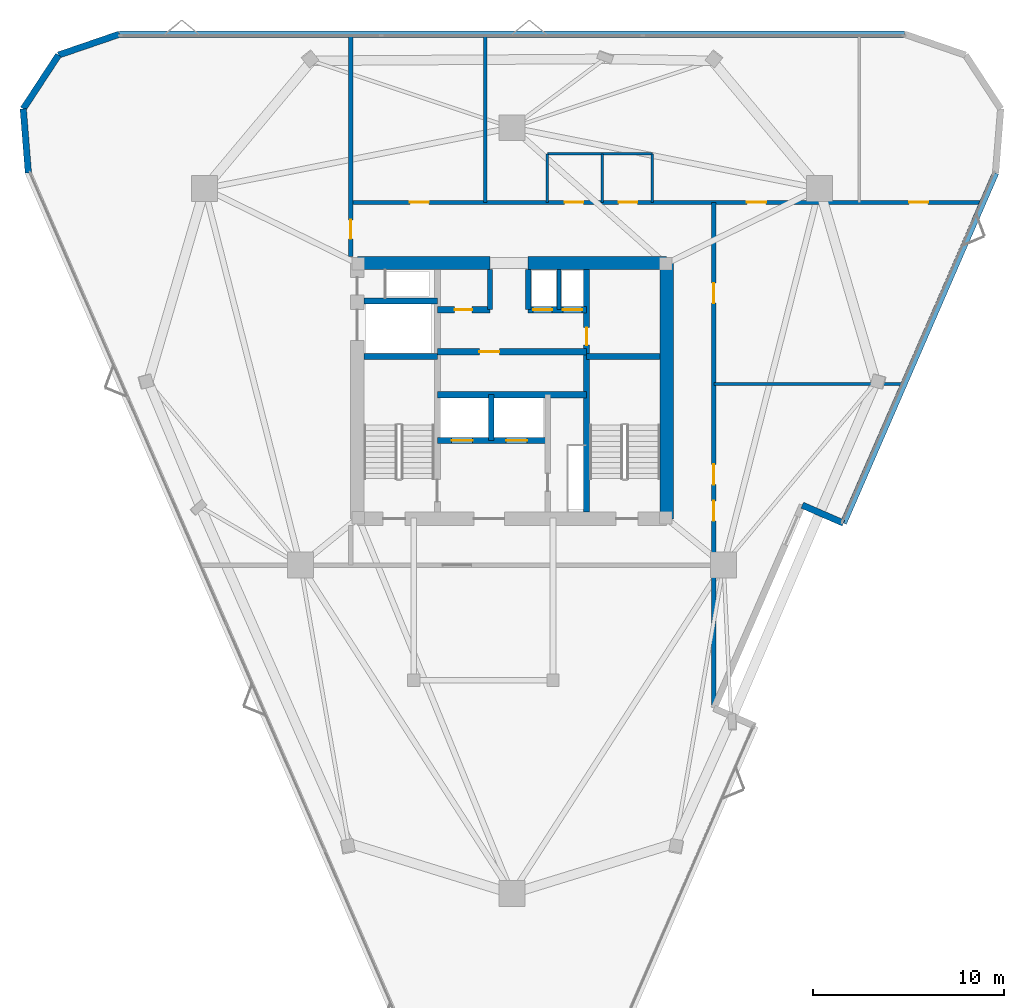
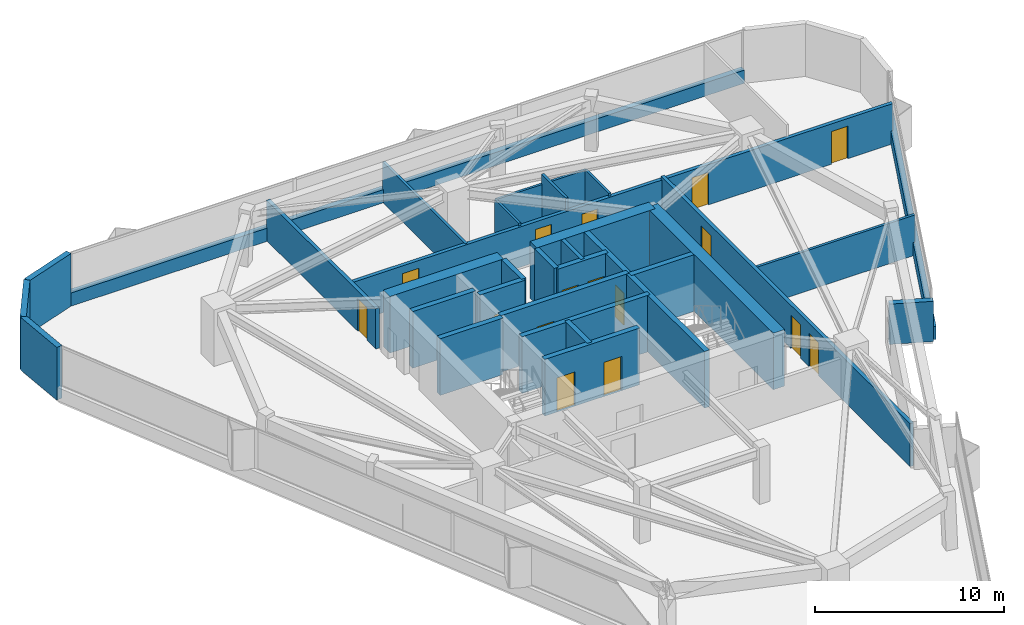
# One storey, part 7 of 9: 31 walls, 16 doors, 16 openings.
"""IFC4 building model written with IfcOpenShell, lengths in metres."""

import ifcopenshell
import ifcopenshell.guid

model = None  # the IFC model being written
_history = None  # IfcOwnerHistory: only IFC2X3 demands one
_inside = {}  # id of a spatial element -> (the spatial element, [elements in it])
_under = {}  # id of a project, library or spatial element -> (it, [spatial elements below it])
_declared = {}  # id of a project -> (the project, [libraries it declares])
_typed = {}  # id of a type object -> (the type object, [elements of that type])
_made_of = {}  # id of a material, layer set ... -> (it, [elements and type objects made of it])


def new_model(schema):
    """Start an empty IFC model of exactly this schema.

    Asked for "IFC4X3", IfcOpenShell would pick the latest addendum, in which some entities
    have other attributes; the version numbers below select the first issue.
    IFC2X3 requires an IfcOwnerHistory on every rooted entity: one is made here for all.
    """
    global model, _history
    if schema == "IFC4X3":
        model = ifcopenshell.file(schema_version=(4, 3, 0, 0))
    else:
        model = ifcopenshell.file(schema=schema)
    _inside.clear()
    _under.clear()
    _declared.clear()
    _typed.clear()
    _made_of.clear()
    _history = None
    if model.schema == "IFC2X3":
        org = make("IfcOrganization", Name="unknown")
        user = make(
            "IfcPersonAndOrganization",
            ThePerson=make("IfcPerson", FamilyName="unknown"),
            TheOrganization=org,
        )
        app = make(
            "IfcApplication",
            ApplicationDeveloper=org,
            Version="unknown",
            ApplicationFullName="unknown",
            ApplicationIdentifier="unknown",
        )
        _history = make(
            "IfcOwnerHistory",
            OwningUser=user,
            OwningApplication=app,
            ChangeAction="ADDED",
            CreationDate=0,
        )
    return model


def make(cls, **values):
    """One entity of the class cls with the attributes given. An attribute that is None is left unset."""
    return model.create_entity(
        cls, **{name: value for name, value in values.items() if value is not None}
    )


def rooted(cls, **values):
    """An entity with a GlobalId (a new one), such as an element, a storey or a relation."""
    return make(cls, GlobalId=ifcopenshell.guid.new(), OwnerHistory=_history, **values)


def si_unit(unit_type, name, prefix=None):
    """IfcSIUnit, for example si_unit("LENGTHUNIT", "METRE", prefix="MILLI")."""
    return make("IfcSIUnit", UnitType=unit_type, Prefix=prefix, Name=name)


def assignment(units):
    """IfcUnitAssignment: the units of a project."""
    return None if units is None else make("IfcUnitAssignment", Units=units)


def point(xyz):
    """IfcCartesianPoint."""
    return None if xyz is None else make("IfcCartesianPoint", Coordinates=xyz)


def direction(xyz):
    """IfcDirection."""
    return None if xyz is None else make("IfcDirection", DirectionRatios=xyz)


def frame(location, z_axis=None, x_axis=None):
    """IfcAxis2Placement3D, a coordinate frame: its origin and axes. An axis left out is left unset."""
    return make(
        "IfcAxis2Placement3D",
        Location=point(location),
        Axis=direction(z_axis),
        RefDirection=direction(x_axis),
    )


def frame_2d(location, x_axis=None):
    """IfcAxis2Placement2D, a coordinate frame in the plane: its origin and x axis."""
    return make(
        "IfcAxis2Placement2D", Location=point(location), RefDirection=direction(x_axis)
    )


def origin():
    """The frame at (0, 0, 0) with its axes left unset."""
    return frame((0.0, 0.0, 0.0))


def place(relative_to, where):
    """IfcLocalPlacement: puts the frame where relative to a parent placement (None: the world)."""
    return make(
        "IfcLocalPlacement", PlacementRelTo=relative_to, RelativePlacement=where
    )


def context(
    kind, dimensions, precision=None, world=None, true_north=None, identifier=None
):
    """IfcGeometricRepresentationContext, for example the 3D "Model" context."""
    return make(
        "IfcGeometricRepresentationContext",
        ContextIdentifier=identifier,
        ContextType=kind,
        CoordinateSpaceDimension=dimensions,
        Precision=precision,
        WorldCoordinateSystem=world,
        TrueNorth=true_north,
    )


def subcontext(parent, identifier, kind, view, scale=None):
    """IfcGeometricRepresentationSubContext, for example "Body" below "Model"."""
    return make(
        "IfcGeometricRepresentationSubContext",
        ContextIdentifier=identifier,
        ContextType=kind,
        ParentContext=parent,
        TargetScale=scale,
        TargetView=view,
    )


def project(units=None, contexts=None):
    """IfcProject with its units and contexts."""
    return rooted(
        "IfcProject",
        Name="project",
        RepresentationContexts=contexts,
        UnitsInContext=assignment(units),
    )


def spatial(cls, under=None, at=None, **own):
    """A site, building, storey or space (cls), placed at a placement, below another one or the project."""
    s = rooted(cls, ObjectPlacement=at, **own)
    if under is not None:
        _under.setdefault(under.id(), (under, []))[1].append(s)
    return s


def profile(cls, at=None, kind="AREA", **sizes):
    """A parametric profile (cls). Its sizes go by their IFC names, for example OverallWidth=200.0."""
    return make(cls, ProfileType=kind, Position=at, **sizes)


def rectangle(**sizes):
    """IfcRectangleProfileDef."""
    return profile("IfcRectangleProfileDef", **sizes)


def extrude(swept, where, along, depth):
    """IfcExtrudedAreaSolid: the profile swept, set in the frame where, extruded along a direction by depth."""
    return make(
        "IfcExtrudedAreaSolid",
        SweptArea=swept,
        Position=where,
        ExtrudedDirection=direction(along),
        Depth=depth,
    )


def shape(context_of_items, identifier, shape_type, items):
    """IfcShapeRepresentation: the items that make up one representation, for example the "Body"."""
    return make(
        "IfcShapeRepresentation",
        ContextOfItems=context_of_items,
        RepresentationIdentifier=identifier,
        RepresentationType=shape_type,
        Items=items,
    )


def material(Name=None, Category=None):
    """IfcMaterial."""
    return make("IfcMaterial", Name=Name, Category=Category)


def layer(
    of_material, thickness, ventilated=None, Name=None, Category=None, Priority=None
):
    """IfcMaterialLayer: one layer of a wall or slab, of a material (None: an air gap)."""
    return make(
        "IfcMaterialLayer",
        Material=of_material,
        LayerThickness=thickness,
        IsVentilated=ventilated,
        Name=Name,
        Category=Category,
        Priority=Priority,
    )


def layer_set(layers, Name=None):
    """IfcMaterialLayerSet."""
    return make("IfcMaterialLayerSet", MaterialLayers=layers, LayerSetName=Name)


def made_of(thing, what):
    """Note that an element or type object is made of a material, layer set ...; save() writes the relation."""
    if what is not None:
        _made_of.setdefault(what.id(), (what, []))[1].append(thing)
    return thing


def type_object(cls, material=None, **own):
    """A type object (cls), such as IfcWallType, which elements share."""
    return made_of(rooted(cls, **own), material)


def element(
    cls,
    number,
    at=None,
    inside=None,
    cuts=None,
    type_object=None,
    material=None,
    context=None,
    identifier="Body",
    shape_type=None,
    held_by="IfcProductDefinitionShape",
    body=None,
    shapes=None,
    **own,
):
    """One element of the class cls, such as IfcWall. Its Tag is "e" and its number.

    at: its placement. inside: the storey or other place that contains it. cuts: it is an
    opening in that element (IfcRelVoidsElement). A single representation is given by context,
    identifier, shape_type and body (its items); several are given by shapes. held_by: the class
    of the entity that holds the representations. save() writes the other relations.
    """
    e = rooted(cls, Tag="e%d" % number, ObjectPlacement=at, **own)
    if body is not None:
        shapes = [shape(context, identifier, shape_type, body)]
    if shapes is not None:
        e.Representation = make(held_by, Representations=shapes)
    if inside is not None:
        _inside.setdefault(inside.id(), (inside, []))[1].append(e)
    if cuts is not None:
        rooted(
            "IfcRelVoidsElement", RelatingBuildingElement=cuts, RelatedOpeningElement=e
        )
    if type_object is not None:
        _typed.setdefault(type_object.id(), (type_object, []))[1].append(e)
    return made_of(e, material)


def fill(opening, filler):
    """IfcRelFillsElement: the door or window that sits in an opening."""
    return rooted(
        "IfcRelFillsElement",
        RelatingOpeningElement=opening,
        RelatedBuildingElement=filler,
    )


def aggregate(whole, parts):
    """IfcRelAggregates: a whole, such as a stair, and the parts it consists of."""
    return rooted("IfcRelAggregates", RelatingObject=whole, RelatedObjects=parts)


def save(model, path):
    """Write the relations noted so far, then the file.

    IfcRelAggregates (storeys below a building ...), IfcRelContainedInSpatialStructure (elements
    in a storey), IfcRelDefinesByType, IfcRelAssociatesMaterial and IfcRelDeclares: one each for
    every whole, place, type object, material and project.
    """
    for whole, parts in _under.values():
        aggregate(whole, parts)
    for where, things in _inside.values():
        rooted(
            "IfcRelContainedInSpatialStructure",
            RelatedElements=things,
            RelatingStructure=where,
        )
    for kind, things in _typed.values():
        rooted("IfcRelDefinesByType", RelatedObjects=things, RelatingType=kind)
    for what, things in _made_of.values():
        rooted("IfcRelAssociatesMaterial", RelatedObjects=things, RelatingMaterial=what)
    for by, libraries in _declared.values():
        rooted("IfcRelDeclares", RelatingContext=by, RelatedDefinitions=libraries)
    model.write(path)


model = new_model("IFC4")

# Units and contexts
model_context = context("Model", 3, precision=1e-05, world=origin(), true_north=direction((0.0, 1.0)))
body_context = subcontext(model_context, "Body", "Model", "MODEL_VIEW")
ifc_project = project(units=[si_unit("LENGTHUNIT", "METRE"), si_unit("AREAUNIT", "SQUARE_METRE"), si_unit("VOLUMEUNIT", "CUBIC_METRE"), si_unit("PLANEANGLEUNIT", "RADIAN"), si_unit("MASSUNIT", "GRAM", prefix="KILO")], contexts=[model_context])

# Site, building, storey
site_placement = place(None, origin())
site = spatial("IfcSite", under=ifc_project, at=site_placement, CompositionType="ELEMENT")
building_placement = place(site_placement, origin())
building = spatial("IfcBuilding", under=site, at=building_placement, Name="Talyreon Biosciences Tower", CompositionType="ELEMENT")
storey_placement = place(building_placement, frame((0.0, 0.0, 208.60009765625)))
storey = spatial("IfcBuildingStorey", under=building, at=storey_placement, Name="L55", CompositionType="ELEMENT", Elevation=208.60009765625)

# Walls
ifc_material_1 = material(Name="Concrete C50/60", Category="concrete")
ifc_layer_1 = layer(ifc_material_1, 0.219970703125)
ifc_layer_set_1 = layer_set([ifc_layer_1], Name="Concrete C50/60")
wall_type_1 = type_object("IfcWallType", Name="CoreShearWall_220", PredefinedType="SHEAR", material=ifc_layer_set_1)
wall_1_placement = place(storey_placement, frame((68.4599609375, 72.25, 0.0), z_axis=(0.0, 0.0, 1.0), x_axis=(0.0, 1.0, 0.0)))
element("IfcWall", 1, at=wall_1_placement, inside=storey, type_object=wall_type_1, Name="L55 Core Shaft Wall SWPHD", PredefinedType="SHEAR", context=body_context, shape_type="SweptSolid", body=[
    extrude(rectangle(XDim=2.10009765625, YDim=0.219970703125, at=frame_2d((1.050048828125, 0.0))), origin(), (0.0, 0.0, 1.0), 3.64990234375),
])
ifc_layer_2 = layer(ifc_material_1, 0.280029296875)
ifc_layer_set_2 = layer_set([ifc_layer_2], Name="Concrete C50/60")
wall_type_2 = type_object("IfcWallType", Name="CoreShearWall_280", PredefinedType="SHEAR", material=ifc_layer_set_2)
wall_2_placement = place(storey_placement, frame((64.919921875, 65.39990234375, 0.0), z_axis=(0.0, 0.0, 1.0), x_axis=(0.0, 1.0, 0.0)))
element("IfcWall", 2, at=wall_2_placement, inside=storey, type_object=wall_type_2, Name="L55 Core Shaft Wall SWSHD1", PredefinedType="SHEAR", context=body_context, shape_type="SweptSolid", body=[
    extrude(rectangle(XDim=2.400146484375, YDim=0.280029296875, at=frame_2d((1.2001953125, 0.0))), origin(), (0.0, 0.0, 1.0), 3.64990234375),
])
for number, where, z_axis, x_axis, name in (
    (3, (64.85009765625, 72.25, 0.0), (0.0, 0.0, 1.0), (0.0, 1.0, 0.0), "L55 Core Shaft Wall SWTHW"),
    (4, (66.85009765625, 72.25, 0.0), (0.0, 0.0, 1.0), (0.0, 1.0, 0.0), "L55 Core Shaft Wall SWTHE"),
):
    element("IfcWall", number, at=place(storey_placement, frame(where, z_axis=z_axis, x_axis=x_axis)), inside=storey, type_object=wall_type_2, Name=name, PredefinedType="SHEAR", context=body_context, shape_type="SweptSolid", body=[
        extrude(rectangle(XDim=2.10009765625, YDim=0.280029296875, at=frame_2d((1.050048828125, 0.0))), origin(), (0.0, 0.0, 1.0), 3.64990234375),
    ])

# Wall, opening, door
ifc_layer_3 = layer(ifc_material_1, 0.320068359375)
ifc_layer_set_3 = layer_set([ifc_layer_3], Name="Concrete C50/60")
wall_type_3 = type_object("IfcWallType", Name="CoreShearWall_320", PredefinedType="SHEAR", material=ifc_layer_set_3)
wall_3_placement = place(storey_placement, frame((69.909912109375, 61.64990234375, 0.0), z_axis=(0.0, 0.0, 1.0), x_axis=(0.0, 1.0, 0.0)))
wall_3 = element("IfcWall", 5, at=wall_3_placement, inside=storey, type_object=wall_type_3, Name="L55 Core Shaft Wall SW2W", PredefinedType="SHEAR", context=body_context, shape_type="SweptSolid", body=[
    extrude(rectangle(XDim=12.7001953125, YDim=0.320068359375, at=frame_2d((6.35009765625, 0.0))), origin(), (0.0, 0.0, 1.0), 3.64990234375),
])
opening_1_placement = place(wall_3_placement, frame((8.75, 0.0, 0.0)))
opening_1 = element("IfcOpeningElement", 6, at=opening_1_placement, cuts=wall_3, Name="Opening DR-L55-CSRV", PredefinedType="OPENING", context=body_context, shape_type="SweptSolid", body=[
    extrude(rectangle(XDim=0.919921875, YDim=2.050048828125, at=frame_2d((0.4599609375, 1.02490234375))), frame((0.0, 0.169921875, 0.0), z_axis=(0.0, -1.0, 0.0), x_axis=(1.0, 0.0, 0.0)), (0.0, 0.0, 1.0), 0.340087890625),
])
ifc_material_2 = material(Name="Painted steel fire-rated riser door", Category="steel")
door_type_1 = type_object("IfcDoorType", Name="RiserPlantAccessDoor_920x2050", OperationType="NOTDEFINED", PredefinedType="DOOR", material=ifc_material_2)
door_1_placement = place(opening_1_placement, origin())
door_1 = element("IfcDoor", 7, at=door_1_placement, inside=storey, type_object=door_type_1, Name="L55 Core Door DR-L55-CSRV", OperationType="SINGLE_SWING_RIGHT", OverallHeight=2.050048828125, OverallWidth=0.919921875, PredefinedType="DOOR", context=body_context, shape_type="SweptSolid", body=[
    extrude(rectangle(XDim=0.919921875, YDim=2.050048828125, at=frame_2d((0.4599609375, 1.02490234375))), frame((0.0, 0.02490234375, 0.0), z_axis=(0.0, -1.0, 0.0), x_axis=(1.0, 0.0, 0.0)), (0.0, 0.0, 1.0), 0.050048828125),
])
fill(opening_1, door_1)

# Walls
for number, where, z_axis, x_axis, name in (
    (8, (58.25, 69.81005859375, 0.0), (0.0, 0.0, 1.0), (1.0, 0.0, 0.0), "L55 Core Shaft Wall SW1N"),
    (9, (69.909912109375, 69.81005859375, 0.0), (0.0, 0.0, 1.0), (1.0, 0.0, 0.0), "L55 Core Shaft Wall SW2N"),
    (10, (58.25, 72.699951171875, 0.0), (0.0, 0.0, 1.0), (1.0, 0.0, 0.0), "L55 Core Shaft Wall SWGLN"),
):
    element("IfcWall", number, at=place(storey_placement, frame(where, z_axis=z_axis, x_axis=x_axis)), inside=storey, type_object=wall_type_3, Name=name, PredefinedType="SHEAR", context=body_context, shape_type="SweptSolid", body=[
        extrude(rectangle(XDim=3.840087890625, YDim=0.320068359375, at=frame_2d((1.919921875, 0.0))), origin(), (0.0, 0.0, 1.0), 3.64990234375),
    ])
wall_4_placement = place(storey_placement, frame((62.090087890625, 67.800048828125, 0.0), z_axis=(0.0, 0.0, 1.0), x_axis=(1.0, 0.0, 0.0)))
element("IfcWall", 11, at=wall_4_placement, inside=storey, type_object=wall_type_3, Name="L55 Core Shaft Wall SWSHM", PredefinedType="SHEAR", context=body_context, shape_type="SweptSolid", body=[
    extrude(rectangle(XDim=7.81982421875, YDim=0.320068359375, at=frame_2d((3.909912109375, 0.0))), origin(), (0.0, 0.0, 1.0), 3.64990234375),
])

# Wall, opening, door
wall_5_placement = place(storey_placement, frame((62.090087890625, 70.050048828125, 0.0), z_axis=(0.0, 0.0, 1.0), x_axis=(1.0, 0.0, 0.0)))
wall_5 = element("IfcWall", 12, at=wall_5_placement, inside=storey, type_object=wall_type_3, Name="L55 Core Shaft Wall SWSPN", PredefinedType="SHEAR", context=body_context, shape_type="SweptSolid", body=[
    extrude(rectangle(XDim=7.81982421875, YDim=0.320068359375, at=frame_2d((3.909912109375, 0.0))), origin(), (0.0, 0.0, 1.0), 3.64990234375),
])
opening_2_placement = place(wall_5_placement, frame((2.199951171875, 0.0, 0.0)))
opening_2 = element("IfcOpeningElement", 13, at=opening_2_placement, cuts=wall_5, Name="Opening DR-L55-PLPMFREE", PredefinedType="OPENING", context=body_context, shape_type="SweptSolid", body=[
    extrude(rectangle(XDim=1.050048828125, YDim=2.14990234375, at=frame_2d((0.52490234375, 1.074951171875))), frame((0.0, 0.169921875, 0.0), z_axis=(0.0, -1.0, 0.0), x_axis=(1.0, 0.0, 0.0)), (0.0, 0.0, 1.0), 0.340087890625),
])
ifc_material_3 = material(Name="Acoustic timber-core laboratory door", Category="wood")
door_type_2 = type_object("IfcDoorType", Name="DryLabSingleDoor_1050x2150", OperationType="NOTDEFINED", PredefinedType="DOOR", material=ifc_material_3)
door_2_placement = place(opening_2_placement, origin())
door_2 = element("IfcDoor", 14, at=door_2_placement, inside=storey, type_object=door_type_2, Name="L55 Core Door DR-L55-PLPMFREE", OperationType="SINGLE_SWING_LEFT", OverallHeight=2.14990234375, OverallWidth=1.050048828125, PredefinedType="DOOR", context=body_context, shape_type="SweptSolid", body=[
    extrude(rectangle(XDim=1.050048828125, YDim=2.14990234375, at=frame_2d((0.52490234375, 1.074951171875))), frame((0.0, 0.02490234375, 0.0), z_axis=(0.0, -1.0, 0.0), x_axis=(1.0, 0.0, 0.0)), (0.0, 0.0, 1.0), 0.050048828125),
])
fill(opening_2, door_2)

wall_6_placement = place(storey_placement, frame((62.090087890625, 72.25, 0.0), z_axis=(0.0, 0.0, 1.0), x_axis=(1.0, 0.0, 0.0)))
wall_6 = element("IfcWall", 15, at=wall_6_placement, inside=storey, type_object=wall_type_3, Name="L55 Core Shaft Wall SWNPW", PredefinedType="SHEAR", context=body_context, shape_type="SweptSolid", body=[
    extrude(rectangle(XDim=2.760009765625, YDim=0.320068359375, at=frame_2d((1.3798828125, 0.0))), origin(), (0.0, 0.0, 1.0), 3.64990234375),
])
opening_3_placement = place(wall_6_placement, frame((0.89990234375, 0.0, 0.0)))
opening_3 = element("IfcOpeningElement", 16, at=opening_3_placement, cuts=wall_6, Name="Opening DR-L55-PM2FREE", PredefinedType="OPENING", context=body_context, shape_type="SweptSolid", body=[
    extrude(rectangle(XDim=0.919921875, YDim=2.050048828125, at=frame_2d((0.4599609375, 1.02490234375))), frame((0.0, 0.169921875, 0.0), z_axis=(0.0, -1.0, 0.0), x_axis=(1.0, 0.0, 0.0)), (0.0, 0.0, 1.0), 0.340087890625),
])
door_3_placement = place(opening_3_placement, origin())
door_3 = element("IfcDoor", 17, at=door_3_placement, inside=storey, type_object=door_type_1, Name="L55 Core Door DR-L55-PM2FREE", OperationType="SINGLE_SWING_RIGHT", OverallHeight=2.050048828125, OverallWidth=0.919921875, PredefinedType="DOOR", context=body_context, shape_type="SweptSolid", body=[
    extrude(rectangle(XDim=0.919921875, YDim=2.050048828125, at=frame_2d((0.4599609375, 1.02490234375))), frame((0.0, 0.02490234375, 0.0), z_axis=(0.0, -1.0, 0.0), x_axis=(1.0, 0.0, 0.0)), (0.0, 0.0, 1.0), 0.050048828125),
])
fill(opening_3, door_3)

# Wall, openings, doors
wall_7_placement = place(storey_placement, frame((66.85009765625, 72.25, 0.0), z_axis=(0.0, 0.0, 1.0), x_axis=(1.0, 0.0, 0.0)))
wall_7 = element("IfcWall", 18, at=wall_7_placement, inside=storey, type_object=wall_type_3, Name="L55 Core Shaft Wall SWNPE", PredefinedType="SHEAR", context=body_context, shape_type="SweptSolid", body=[
    extrude(rectangle(XDim=3.059814453125, YDim=0.320068359375, at=frame_2d((1.52978515625, 0.0))), origin(), (0.0, 0.0, 1.0), 3.64990234375),
])
opening_4_placement = place(wall_7_placement, frame((0.25, 0.0, 0.0)))
opening_4 = element("IfcOpeningElement", 19, at=opening_4_placement, cuts=wall_7, Name="Opening LD-L55-PH1", PredefinedType="OPENING", context=body_context, shape_type="SweptSolid", body=[
    extrude(rectangle(XDim=1.0, YDim=2.199951171875, at=frame_2d((0.5, 1.10009765625))), frame((0.0, 0.169921875, 0.0), z_axis=(0.0, -1.0, 0.0), x_axis=(1.0, 0.0, 0.0)), (0.0, 0.0, 1.0), 0.340087890625),
])
opening_5_placement = place(wall_7_placement, frame((1.820068359375, 0.0, 0.0)))
opening_5 = element("IfcOpeningElement", 20, at=opening_5_placement, cuts=wall_7, Name="Opening LD-L55-PH2", PredefinedType="OPENING", context=body_context, shape_type="SweptSolid", body=[
    extrude(rectangle(XDim=1.0, YDim=2.199951171875, at=frame_2d((0.5, 1.10009765625))), frame((0.0, 0.169921875, 0.0), z_axis=(0.0, -1.0, 0.0), x_axis=(1.0, 0.0, 0.0)), (0.0, 0.0, 1.0), 0.340087890625),
])
ifc_material_4 = material(Name="Brushed stainless-steel lift landing door", Category="steel")
door_type_3 = type_object("IfcDoorType", Name="LiftSlidingLandingDoor_1100x2200", OperationType="SLIDING_TO_LEFT", PredefinedType="DOOR", material=ifc_material_4)
door_4_placement = place(opening_4_placement, origin())
door_4 = element("IfcDoor", 21, at=door_4_placement, inside=storey, type_object=door_type_3, Name="L55 Core Door LD-L55-PH1", OperationType="SLIDING_TO_LEFT", OverallHeight=2.199951171875, OverallWidth=1.0, PredefinedType="DOOR", context=body_context, shape_type="SweptSolid", body=[
    extrude(rectangle(XDim=1.0, YDim=2.199951171875, at=frame_2d((0.5, 1.10009765625))), frame((0.0, 0.02490234375, 0.0), z_axis=(0.0, -1.0, 0.0), x_axis=(1.0, 0.0, 0.0)), (0.0, 0.0, 1.0), 0.050048828125),
])
fill(opening_4, door_4)
door_5_placement = place(opening_5_placement, origin())
door_5 = element("IfcDoor", 22, at=door_5_placement, inside=storey, type_object=door_type_3, Name="L55 Core Door LD-L55-PH2", OperationType="SLIDING_TO_LEFT", OverallHeight=2.199951171875, OverallWidth=1.0, PredefinedType="DOOR", context=body_context, shape_type="SweptSolid", body=[
    extrude(rectangle(XDim=1.0, YDim=2.199951171875, at=frame_2d((0.5, 1.10009765625))), frame((0.0, 0.02490234375, 0.0), z_axis=(0.0, -1.0, 0.0), x_axis=(1.0, 0.0, 0.0)), (0.0, 0.0, 1.0), 0.050048828125),
])
fill(opening_5, door_5)

wall_8_placement = place(storey_placement, frame((62.090087890625, 65.39990234375, 0.0), z_axis=(0.0, 0.0, 1.0), x_axis=(1.0, 0.0, 0.0)))
wall_8 = element("IfcWall", 23, at=wall_8_placement, inside=storey, type_object=wall_type_3, Name="L55 Core Shaft Wall SWFFN", PredefinedType="SHEAR", context=body_context, shape_type="SweptSolid", body=[
    extrude(rectangle(XDim=5.789794921875, YDim=0.320068359375, at=frame_2d((2.89501953125, 0.0))), origin(), (0.0, 0.0, 1.0), 3.64990234375),
])
opening_6_placement = place(wall_8_placement, frame((0.75, 0.0, 0.0)))
opening_6 = element("IfcOpeningElement", 24, at=opening_6_placement, cuts=wall_8, Name="Opening LD-L55-FL1", PredefinedType="OPENING", context=body_context, shape_type="SweptSolid", body=[
    extrude(rectangle(XDim=1.10009765625, YDim=2.199951171875, at=frame_2d((0.550048828125, 1.10009765625))), frame((0.0, 0.169921875, 0.0), z_axis=(0.0, -1.0, 0.0), x_axis=(1.0, 0.0, 0.0)), (0.0, 0.0, 1.0), 0.340087890625),
])
opening_7_placement = place(wall_8_placement, frame((3.60009765625, 0.0, 0.0)))
opening_7 = element("IfcOpeningElement", 25, at=opening_7_placement, cuts=wall_8, Name="Opening LD-L55-FL2", PredefinedType="OPENING", context=body_context, shape_type="SweptSolid", body=[
    extrude(rectangle(XDim=1.10009765625, YDim=2.199951171875, at=frame_2d((0.550048828125, 1.10009765625))), frame((0.0, 0.169921875, 0.0), z_axis=(0.0, -1.0, 0.0), x_axis=(1.0, 0.0, 0.0)), (0.0, 0.0, 1.0), 0.340087890625),
])
door_6_placement = place(opening_6_placement, origin())
door_6 = element("IfcDoor", 26, at=door_6_placement, inside=storey, type_object=door_type_3, Name="L55 Core Door LD-L55-FL1", OperationType="SLIDING_TO_LEFT", OverallHeight=2.199951171875, OverallWidth=1.10009765625, PredefinedType="DOOR", context=body_context, shape_type="SweptSolid", body=[
    extrude(rectangle(XDim=1.10009765625, YDim=2.199951171875, at=frame_2d((0.550048828125, 1.10009765625))), frame((0.0, 0.02490234375, 0.0), z_axis=(0.0, -1.0, 0.0), x_axis=(1.0, 0.0, 0.0)), (0.0, 0.0, 1.0), 0.050048828125),
])
fill(opening_6, door_6)
door_7_placement = place(opening_7_placement, origin())
door_7 = element("IfcDoor", 27, at=door_7_placement, inside=storey, type_object=door_type_3, Name="L55 Core Door LD-L55-FL2", OperationType="SLIDING_TO_LEFT", OverallHeight=2.199951171875, OverallWidth=1.10009765625, PredefinedType="DOOR", context=body_context, shape_type="SweptSolid", body=[
    extrude(rectangle(XDim=1.10009765625, YDim=2.199951171875, at=frame_2d((0.550048828125, 1.10009765625))), frame((0.0, 0.02490234375, 0.0), z_axis=(0.0, -1.0, 0.0), x_axis=(1.0, 0.0, 0.0)), (0.0, 0.0, 1.0), 0.050048828125),
])
fill(opening_7, door_7)

# Walls
ifc_layer_4 = layer(ifc_material_1, 0.699951171875)
ifc_layer_set_4 = layer_set([ifc_layer_4], Name="Concrete C50/60")
wall_type_4 = type_object("IfcWallType", Name="CoreShearWall_700", PredefinedType="SHEAR", material=ifc_layer_set_4)
wall_9_placement = place(storey_placement, frame((74.10009765625, 61.300048828125, 0.0), z_axis=(0.0, 0.0, 1.0), x_axis=(0.0, 1.0, 0.0)))
element("IfcWall", 28, at=wall_9_placement, inside=storey, type_object=wall_type_4, Name="L55 Core Shear Wall E", PredefinedType="SHEAR", context=body_context, shape_type="SweptSolid", body=[
    extrude(rectangle(XDim=13.39990234375, YDim=0.699951171875, at=frame_2d((6.699951171875, 0.0))), origin(), (0.0, 0.0, 1.0), 3.64990234375),
])
wall_10_placement = place(storey_placement, frame((74.10009765625, 74.699951171875, 0.0), z_axis=(0.0, 0.0, 1.0), x_axis=(-1.0, 0.0, 0.0)))
element("IfcWall", 29, at=wall_10_placement, inside=storey, type_object=wall_type_4, Name="L55 Core Shear Wall NE", PredefinedType="SHEAR", context=body_context, shape_type="SweptSolid", body=[
    extrude(rectangle(XDim=7.25, YDim=0.699951171875, at=frame_2d((3.625, 0.0))), origin(), (0.0, 0.0, 1.0), 3.64990234375),
])
wall_11_placement = place(storey_placement, frame((64.85009765625, 74.699951171875, 0.0), z_axis=(0.0, 0.0, 1.0), x_axis=(-1.0, 0.0, 0.0)))
element("IfcWall", 30, at=wall_11_placement, inside=storey, type_object=wall_type_4, Name="L55 Core Shear Wall NW", PredefinedType="SHEAR", context=body_context, shape_type="SweptSolid", body=[
    extrude(rectangle(XDim=6.9501953125, YDim=0.699951171875, at=frame_2d((3.47509765625, 0.0))), origin(), (0.0, 0.0, 1.0), 3.64990234375),
])

# Wall, openings, doors
ifc_material_5 = material(Name="Gypsum fireboard acoustic stud", Category="gypsum")
ifc_layer_5 = layer(ifc_material_5, 0.219970703125)
ifc_layer_set_5 = layer_set([ifc_layer_5], Name="Gypsum fireboard acoustic stud")
wall_type_5 = type_object("IfcWallType", Name="CorridorRatedPartition_220", PredefinedType="PARTITIONING", material=ifc_layer_set_5)
wall_12_placement = place(storey_placement, frame((57.550048828125, 77.8701171875, 0.0), z_axis=(0.0, 0.0, 1.0), x_axis=(1.0, 0.0, 0.0)))
wall_12 = element("IfcWall", 31, at=wall_12_placement, inside=storey, type_object=wall_type_5, Name="L55 Interior Wall IW-L55-COR-N", PredefinedType="PARTITIONING", context=body_context, shape_type="SweptSolid", body=[
    extrude(rectangle(XDim=33.021240234375, YDim=0.219970703125, at=frame_2d((16.5107421875, 0.0))), origin(), (0.0, 0.0, 1.0), 2.599853515625),
])
opening_8_placement = place(wall_12_placement, frame((11.2099609375, 0.0, 0.0)))
opening_8 = element("IfcOpeningElement", 32, at=opening_8_placement, cuts=wall_12, Name="Opening DR-L55-WC", PredefinedType="OPENING", context=body_context, shape_type="SweptSolid", body=[
    extrude(rectangle(XDim=0.97998046875, YDim=2.10009765625, at=frame_2d((0.489990234375, 1.050048828125))), frame((0.0, 0.119873046875, 0.0), z_axis=(0.0, -1.0, 0.0), x_axis=(1.0, 0.0, 0.0)), (0.0, 0.0, 1.0), 0.239990234375),
])
opening_9_placement = place(wall_12_placement, frame((14.034912109375, 0.0, 0.0)))
opening_9 = element("IfcOpeningElement", 33, at=opening_9_placement, cuts=wall_12, Name="Opening DR-L55-AWC", PredefinedType="OPENING", context=body_context, shape_type="SweptSolid", body=[
    extrude(rectangle(XDim=0.97998046875, YDim=2.10009765625, at=frame_2d((0.489990234375, 1.050048828125))), frame((0.0, 0.119873046875, 0.0), z_axis=(0.0, -1.0, 0.0), x_axis=(1.0, 0.0, 0.0)), (0.0, 0.0, 1.0), 0.239990234375),
])
opening_10_placement = place(wall_12_placement, frame((3.10009765625, 0.0, 0.0)))
opening_10 = element("IfcOpeningElement", 34, at=opening_10_placement, cuts=wall_12, Name="Opening DR-L55-N1A", PredefinedType="OPENING", context=body_context, shape_type="SweptSolid", body=[
    extrude(rectangle(XDim=1.0, YDim=2.10009765625, at=frame_2d((0.5, 1.050048828125))), frame((0.0, 0.119873046875, 0.0), z_axis=(0.0, -1.0, 0.0), x_axis=(1.0, 0.0, 0.0)), (0.0, 0.0, 1.0), 0.239990234375),
])
opening_11_placement = place(wall_12_placement, frame((20.757080078125, 0.0, 0.0)))
opening_11 = element("IfcOpeningElement", 35, at=opening_11_placement, cuts=wall_12, Name="Opening DR-L55-N2A", PredefinedType="OPENING", context=body_context, shape_type="SweptSolid", body=[
    extrude(rectangle(XDim=1.0, YDim=2.10009765625, at=frame_2d((0.5, 1.050048828125))), frame((0.0, 0.119873046875, 0.0), z_axis=(0.0, -1.0, 0.0), x_axis=(1.0, 0.0, 0.0)), (0.0, 0.0, 1.0), 0.239990234375),
])
opening_12_placement = place(wall_12_placement, frame((29.251953125, 0.0, 0.0)))
opening_12 = element("IfcOpeningElement", 36, at=opening_12_placement, cuts=wall_12, Name="Opening DR-L55-N3A", PredefinedType="OPENING", context=body_context, shape_type="SweptSolid", body=[
    extrude(rectangle(XDim=1.0, YDim=2.10009765625, at=frame_2d((0.5, 1.050048828125))), frame((0.0, 0.119873046875, 0.0), z_axis=(0.0, -1.0, 0.0), x_axis=(1.0, 0.0, 0.0)), (0.0, 0.0, 1.0), 0.239990234375),
])
ifc_material_6 = material(Name="Laminate moisture-resistant door", Category="wood")
door_type_4 = type_object("IfcDoorType", Name="AccessibleToiletDoor_980x2100", OperationType="NOTDEFINED", PredefinedType="DOOR", material=ifc_material_6)
door_8_placement = place(opening_8_placement, origin())
door_8 = element("IfcDoor", 37, at=door_8_placement, inside=storey, type_object=door_type_4, Name="L55 Interior Door DR-L55-WC", OperationType="SINGLE_SWING_LEFT", OverallHeight=2.10009765625, OverallWidth=0.97998046875, PredefinedType="DOOR", context=body_context, shape_type="SweptSolid", body=[
    extrude(rectangle(XDim=0.97998046875, YDim=2.10009765625, at=frame_2d((0.489990234375, 1.050048828125))), frame((0.0, 0.02490234375, 0.0), z_axis=(0.0, -1.0, 0.0), x_axis=(1.0, 0.0, 0.0)), (0.0, 0.0, 1.0), 0.050048828125),
])
fill(opening_8, door_8)
door_9_placement = place(opening_9_placement, origin())
door_9 = element("IfcDoor", 38, at=door_9_placement, inside=storey, type_object=door_type_4, Name="L55 Interior Door DR-L55-AWC", OperationType="SINGLE_SWING_LEFT", OverallHeight=2.10009765625, OverallWidth=0.97998046875, PredefinedType="DOOR", context=body_context, shape_type="SweptSolid", body=[
    extrude(rectangle(XDim=0.97998046875, YDim=2.10009765625, at=frame_2d((0.489990234375, 1.050048828125))), frame((0.0, 0.02490234375, 0.0), z_axis=(0.0, -1.0, 0.0), x_axis=(1.0, 0.0, 0.0)), (0.0, 0.0, 1.0), 0.050048828125),
])
fill(opening_9, door_9)
ifc_material_7 = material(Name="Acoustic oak veneer office door", Category="wood")
door_type_5 = type_object("IfcDoorType", Name="WriteupOfficeDoor_1000x2100", OperationType="NOTDEFINED", PredefinedType="DOOR", material=ifc_material_7)
door_10_placement = place(opening_10_placement, origin())
door_10 = element("IfcDoor", 39, at=door_10_placement, inside=storey, type_object=door_type_5, Name="L55 Interior Door DR-L55-N1A", OperationType="SINGLE_SWING_LEFT", OverallHeight=2.10009765625, OverallWidth=1.0, PredefinedType="DOOR", context=body_context, shape_type="SweptSolid", body=[
    extrude(rectangle(XDim=1.0, YDim=2.10009765625, at=frame_2d((0.5, 1.050048828125))), frame((0.0, 0.02490234375, 0.0), z_axis=(0.0, -1.0, 0.0), x_axis=(1.0, 0.0, 0.0)), (0.0, 0.0, 1.0), 0.050048828125),
])
fill(opening_10, door_10)
door_11_placement = place(opening_11_placement, origin())
door_11 = element("IfcDoor", 40, at=door_11_placement, inside=storey, type_object=door_type_5, Name="L55 Interior Door DR-L55-N2A", OperationType="SINGLE_SWING_RIGHT", OverallHeight=2.10009765625, OverallWidth=1.0, PredefinedType="DOOR", context=body_context, shape_type="SweptSolid", body=[
    extrude(rectangle(XDim=1.0, YDim=2.10009765625, at=frame_2d((0.5, 1.050048828125))), frame((0.0, 0.02490234375, 0.0), z_axis=(0.0, -1.0, 0.0), x_axis=(1.0, 0.0, 0.0)), (0.0, 0.0, 1.0), 0.050048828125),
])
fill(opening_11, door_11)
door_12_placement = place(opening_12_placement, origin())
door_12 = element("IfcDoor", 41, at=door_12_placement, inside=storey, type_object=door_type_5, Name="L55 Interior Door DR-L55-N3A", OperationType="SINGLE_SWING_RIGHT", OverallHeight=2.10009765625, OverallWidth=1.0, PredefinedType="DOOR", context=body_context, shape_type="SweptSolid", body=[
    extrude(rectangle(XDim=1.0, YDim=2.10009765625, at=frame_2d((0.5, 1.050048828125))), frame((0.0, 0.02490234375, 0.0), z_axis=(0.0, -1.0, 0.0), x_axis=(1.0, 0.0, 0.0)), (0.0, 0.0, 1.0), 0.050048828125),
])
fill(opening_12, door_12)

# Wall, opening, door
wall_13_placement = place(storey_placement, frame((57.550048828125, 75.050048828125, 0.0), z_axis=(0.0, 0.0, 1.0), x_axis=(0.0, 1.0, 0.0)))
wall_13 = element("IfcWall", 42, at=wall_13_placement, inside=storey, type_object=wall_type_5, Name="L55 Interior Wall IW-L55-WCAP-N", PredefinedType="PARTITIONING", context=body_context, shape_type="SweptSolid", body=[
    extrude(rectangle(XDim=11.550048828125, YDim=0.219970703125, at=frame_2d((5.77490234375, 0.0))), origin(), (0.0, 0.0, 1.0), 2.599853515625),
])
opening_13_placement = place(wall_13_placement, frame((0.909912109375, 0.0, 0.0)))
opening_13 = element("IfcOpeningElement", 43, at=opening_13_placement, cuts=wall_13, Name="Opening DR-L55-W1A", PredefinedType="OPENING", context=body_context, shape_type="SweptSolid", body=[
    extrude(rectangle(XDim=1.0, YDim=2.10009765625, at=frame_2d((0.5, 1.050048828125))), frame((0.0, 0.119873046875, 0.0), z_axis=(0.0, -1.0, 0.0), x_axis=(1.0, 0.0, 0.0)), (0.0, 0.0, 1.0), 0.239990234375),
])
door_13_placement = place(opening_13_placement, origin())
door_13 = element("IfcDoor", 44, at=door_13_placement, inside=storey, type_object=door_type_5, Name="L55 Interior Door DR-L55-W1A", OperationType="SINGLE_SWING_RIGHT", OverallHeight=2.10009765625, OverallWidth=1.0, PredefinedType="DOOR", context=body_context, shape_type="SweptSolid", body=[
    extrude(rectangle(XDim=1.0, YDim=2.10009765625, at=frame_2d((0.5, 1.050048828125))), frame((0.0, 0.02490234375, 0.0), z_axis=(0.0, -1.0, 0.0), x_axis=(1.0, 0.0, 0.0)), (0.0, 0.0, 1.0), 0.050048828125),
])
fill(opening_13, door_13)

# Wall, openings, doors
wall_14_placement = place(storey_placement, frame((76.570068359375, 51.552490234375, 0.0), z_axis=(0.0, 0.0, 1.0), x_axis=(0.0, 1.0, 0.0)))
wall_14 = element("IfcWall", 45, at=wall_14_placement, inside=storey, type_object=wall_type_5, Name="L55 Interior Wall IW-L55-COR-E", PredefinedType="PARTITIONING", context=body_context, shape_type="SweptSolid", body=[
    extrude(rectangle(XDim=26.317626953125, YDim=0.219970703125, at=frame_2d((13.15869140625, 0.0))), origin(), (0.0, 0.0, 1.0), 2.77978515625),
])
opening_14_placement = place(wall_14_placement, frame((11.5419921875, 0.0, 0.0)))
opening_14 = element("IfcOpeningElement", 46, at=opening_14_placement, cuts=wall_14, Name="Opening DR-L55-E1A", PredefinedType="OPENING", context=body_context, shape_type="SweptSolid", body=[
    extrude(rectangle(XDim=1.050048828125, YDim=2.14990234375, at=frame_2d((0.52490234375, 1.074951171875))), frame((0.0, 0.119873046875, 0.0), z_axis=(0.0, -1.0, 0.0), x_axis=(1.0, 0.0, 0.0)), (0.0, 0.0, 1.0), 0.239990234375),
])
opening_15_placement = place(wall_14_placement, frame((9.639892578125, 0.0, 0.0)))
opening_15 = element("IfcOpeningElement", 47, at=opening_15_placement, cuts=wall_14, Name="Opening DR-L55-E1B", PredefinedType="OPENING", context=body_context, shape_type="SweptSolid", body=[
    extrude(rectangle(XDim=1.050048828125, YDim=2.14990234375, at=frame_2d((0.52490234375, 1.074951171875))), frame((0.0, 0.119873046875, 0.0), z_axis=(0.0, -1.0, 0.0), x_axis=(1.0, 0.0, 0.0)), (0.0, 0.0, 1.0), 0.239990234375),
])
opening_16_placement = place(wall_14_placement, frame((21.04296875, 0.0, 0.0)))
opening_16 = element("IfcOpeningElement", 48, at=opening_16_placement, cuts=wall_14, Name="Opening DR-L55-E2A", PredefinedType="OPENING", context=body_context, shape_type="SweptSolid", body=[
    extrude(rectangle(XDim=1.050048828125, YDim=2.14990234375, at=frame_2d((0.52490234375, 1.074951171875))), frame((0.0, 0.119873046875, 0.0), z_axis=(0.0, -1.0, 0.0), x_axis=(1.0, 0.0, 0.0)), (0.0, 0.0, 1.0), 0.239990234375),
])
door_14_placement = place(opening_14_placement, origin())
door_14 = element("IfcDoor", 49, at=door_14_placement, inside=storey, type_object=door_type_2, Name="L55 Interior Door DR-L55-E1A", OperationType="SINGLE_SWING_LEFT", OverallHeight=2.14990234375, OverallWidth=1.050048828125, PredefinedType="DOOR", context=body_context, shape_type="SweptSolid", body=[
    extrude(rectangle(XDim=1.050048828125, YDim=2.14990234375, at=frame_2d((0.52490234375, 1.074951171875))), frame((0.0, 0.02490234375, 0.0), z_axis=(0.0, -1.0, 0.0), x_axis=(1.0, 0.0, 0.0)), (0.0, 0.0, 1.0), 0.050048828125),
])
fill(opening_14, door_14)
door_15_placement = place(opening_15_placement, origin())
door_15 = element("IfcDoor", 50, at=door_15_placement, inside=storey, type_object=door_type_2, Name="L55 Interior Door DR-L55-E1B", OperationType="SINGLE_SWING_LEFT", OverallHeight=2.14990234375, OverallWidth=1.050048828125, PredefinedType="DOOR", context=body_context, shape_type="SweptSolid", body=[
    extrude(rectangle(XDim=1.050048828125, YDim=2.14990234375, at=frame_2d((0.52490234375, 1.074951171875))), frame((0.0, 0.02490234375, 0.0), z_axis=(0.0, -1.0, 0.0), x_axis=(1.0, 0.0, 0.0)), (0.0, 0.0, 1.0), 0.050048828125),
])
fill(opening_15, door_15)
door_16_placement = place(opening_16_placement, origin())
door_16 = element("IfcDoor", 51, at=door_16_placement, inside=storey, type_object=door_type_2, Name="L55 Interior Door DR-L55-E2A", OperationType="SINGLE_SWING_LEFT", OverallHeight=2.14990234375, OverallWidth=1.050048828125, PredefinedType="DOOR", context=body_context, shape_type="SweptSolid", body=[
    extrude(rectangle(XDim=1.050048828125, YDim=2.14990234375, at=frame_2d((0.52490234375, 1.074951171875))), frame((0.0, 0.02490234375, 0.0), z_axis=(0.0, -1.0, 0.0), x_axis=(1.0, 0.0, 0.0)), (0.0, 0.0, 1.0), 0.050048828125),
])
fill(opening_16, door_16)

# Walls
ifc_material_8 = material(Name="Gypsum acoustic stud partition", Category="gypsum")
ifc_layer_6 = layer(ifc_material_8, 0.159912109375)
ifc_layer_set_6 = layer_set([ifc_layer_6], Name="Gypsum acoustic stud partition")
wall_type_6 = type_object("IfcWallType", Name="LabSeparationPartition_160", PredefinedType="PARTITIONING", material=ifc_layer_set_6)
wall_15_placement = place(storey_placement, frame((64.60009765625, 77.8701171875, 0.0), z_axis=(0.0, 0.0, 1.0), x_axis=(0.0, 1.0, 0.0)))
element("IfcWall", 52, at=wall_15_placement, inside=storey, type_object=wall_type_6, Name="L55 Interior Wall IW-L55-NDIV1", PredefinedType="PARTITIONING", context=body_context, shape_type="SweptSolid", body=[
    extrude(rectangle(XDim=8.72998046875, YDim=0.159912109375, at=frame_2d((4.364990234375, 0.0))), origin(), (0.0, 0.0, 1.0), 2.599853515625),
])
wall_16_placement = place(storey_placement, frame((76.570068359375, 68.3701171875, 0.0), z_axis=(0.0, 0.0, 1.0), x_axis=(1.0, 0.0, 0.0)))
element("IfcWall", 53, at=wall_16_placement, inside=storey, type_object=wall_type_6, Name="L55 Interior Wall IW-L55-EDIV1", PredefinedType="PARTITIONING", context=body_context, shape_type="SweptSolid", body=[
    extrude(rectangle(XDim=9.8720703125, YDim=0.159912109375, at=frame_2d((4.93603515625, 0.0))), origin(), (0.0, 0.0, 1.0), 2.599853515625),
])
ifc_material_9 = material(Name="Precast concrete C45/55", Category="concrete")
ifc_layer_7 = layer(ifc_material_9, 0.340087890625)
ifc_layer_set_7 = layer_set([ifc_layer_7], Name="Precast concrete C45/55")
wall_type_7 = type_object("IfcWallType", Name="PrecastConcreteSpandrelWall_340", PredefinedType="STANDARD", material=ifc_layer_set_7)
wall_17_placement = place(storey_placement, frame((40.66552734375, 79.412353515625, 0.0), z_axis=(0.0, 0.0, 1.0), x_axis=(-0.079802786794, 0.996810671702, 0.0)))
element("IfcWall", 54, at=wall_17_placement, inside=storey, type_object=wall_type_7, Name="L55 Rounded-Corner Concrete Pier 00", PredefinedType="STANDARD", context=body_context, shape_type="SweptSolid", body=[
    extrude(rectangle(XDim=3.371337890625, YDim=0.340087890625, at=frame_2d((1.685546875, 0.0))), origin(), (0.0, 0.0, 1.0), 3.39990234375),
])
wall_18_placement = place(storey_placement, frame((40.396484375, 82.77294921875, 0.0), z_axis=(0.0, 0.0, 1.0), x_axis=(0.548384356693, 0.836226403155, 0.0)))
element("IfcWall", 55, at=wall_18_placement, inside=storey, type_object=wall_type_7, Name="L55 Rounded-Corner Concrete Pier 01", PredefinedType="STANDARD", context=body_context, shape_type="SweptSolid", body=[
    extrude(rectangle(XDim=3.37158203125, YDim=0.340087890625, at=frame_2d((1.685791015625, 0.0))), origin(), (0.0, 0.0, 1.0), 3.39990234375),
])
wall_19_placement = place(storey_placement, frame((42.245361328125, 85.59228515625, 0.0), z_axis=(0.0, 0.0, 1.0), x_axis=(0.945984660403, 0.324211385182, 0.0)))
element("IfcWall", 56, at=wall_19_placement, inside=storey, type_object=wall_type_7, Name="L55 Rounded-Corner Concrete Pier 02", PredefinedType="STANDARD", context=body_context, shape_type="SweptSolid", body=[
    extrude(rectangle(XDim=3.371337890625, YDim=0.340087890625, at=frame_2d((1.685546875, 0.0))), origin(), (0.0, 0.0, 1.0), 3.39990234375),
])
wall_20_placement = place(storey_placement, frame((45.4345703125, 86.685302734375, 0.0), z_axis=(0.0, 0.0, 1.0), x_axis=(1.0, 0.0, 0.0)))
element("IfcWall", 57, at=wall_20_placement, inside=storey, type_object=wall_type_7, Name="L55 Expressed Concrete Sill Wall 03", PredefinedType="STANDARD", context=body_context, shape_type="SweptSolid", body=[
    extrude(rectangle(XDim=41.130859375, YDim=0.340087890625, at=frame_2d((20.5654296875, 0.0))), origin(), (0.0, 0.0, 1.0), 0.849853515625),
])
wall_21_placement = place(storey_placement, frame((91.33447265625, 79.412353515625, 0.0), z_axis=(0.0, 0.0, 1.0), x_axis=(-0.398629672145, -0.917111980341, 0.0)))
element("IfcWall", 58, at=wall_21_placement, inside=storey, type_object=wall_type_7, Name="L55 Expressed Concrete Sill Wall 07", PredefinedType="STANDARD", context=body_context, shape_type="SweptSolid", body=[
    extrude(rectangle(XDim=19.995361328125, YDim=0.340087890625, at=frame_2d((9.99755859375, 0.0))), origin(), (0.0, 0.0, 1.0), 0.849853515625),
])
wall_22_placement = place(storey_placement, frame((83.36376953125, 61.074462890625, 0.0), z_axis=(0.0, 0.0, 1.0), x_axis=(-0.917155923187, 0.398528559282, 0.0)))
element("IfcWall", 59, at=wall_22_placement, inside=storey, type_object=wall_type_7, Name="L55 Terrace Backing Concrete Wall 08", PredefinedType="STANDARD", context=body_context, shape_type="SweptSolid", body=[
    extrude(rectangle(XDim=2.349853515625, YDim=0.340087890625, at=frame_2d((1.1748046875, 0.0))), origin(), (0.0, 0.0, 1.0), 2.599853515625),
])
ifc_material_10 = material(Name="Moisture-resistant cement-board stud", Category="gypsum")
ifc_layer_8 = layer(ifc_material_10, 0.14501953125)
ifc_layer_set_8 = layer_set([ifc_layer_8], Name="Moisture-resistant cement-board stud")
wall_type_8 = type_object("IfcWallType", Name="WetRoomPartition_145", PredefinedType="PARTITIONING", material=ifc_layer_set_8)
wall_23_placement = place(storey_placement, frame((67.85009765625, 77.8701171875, 0.0), z_axis=(0.0, 0.0, 1.0), x_axis=(0.0, 1.0, 0.0)))
element("IfcWall", 60, at=wall_23_placement, inside=storey, type_object=wall_type_8, Name="L55 Interior Wall IW-L55-WCL", PredefinedType="PARTITIONING", context=body_context, shape_type="SweptSolid", body=[
    extrude(rectangle(XDim=2.5498046875, YDim=0.14501953125, at=frame_2d((1.27490234375, 0.0))), origin(), (0.0, 0.0, 1.0), 2.77978515625),
])
wall_24_placement = place(storey_placement, frame((70.72509765625, 77.8701171875, 0.0), z_axis=(0.0, 0.0, 1.0), x_axis=(0.0, 1.0, 0.0)))
element("IfcWall", 61, at=wall_24_placement, inside=storey, type_object=wall_type_8, Name="L55 Interior Wall IW-L55-WCM", PredefinedType="PARTITIONING", context=body_context, shape_type="SweptSolid", body=[
    extrude(rectangle(XDim=2.5498046875, YDim=0.14501953125, at=frame_2d((1.27490234375, 0.0))), origin(), (0.0, 0.0, 1.0), 3.39990234375),
])
wall_25_placement = place(storey_placement, frame((73.35009765625, 77.8701171875, 0.0), z_axis=(0.0, 0.0, 1.0), x_axis=(0.0, 1.0, 0.0)))
element("IfcWall", 62, at=wall_25_placement, inside=storey, type_object=wall_type_8, Name="L55 Interior Wall IW-L55-WCR", PredefinedType="PARTITIONING", context=body_context, shape_type="SweptSolid", body=[
    extrude(rectangle(XDim=2.5498046875, YDim=0.14501953125, at=frame_2d((1.27490234375, 0.0))), origin(), (0.0, 0.0, 1.0), 2.77978515625),
])
wall_26_placement = place(storey_placement, frame((67.85009765625, 80.419921875, 0.0), z_axis=(0.0, 0.0, 1.0), x_axis=(1.0, 0.0, 0.0)))
element("IfcWall", 63, at=wall_26_placement, inside=storey, type_object=wall_type_8, Name="L55 Interior Wall IW-L55-WCT", PredefinedType="PARTITIONING", context=body_context, shape_type="SweptSolid", body=[
    extrude(rectangle(XDim=5.5, YDim=0.14501953125, at=frame_2d((2.75, 0.0))), origin(), (0.0, 0.0, 1.0), 2.77978515625),
])

save(model, "model.ifc")
